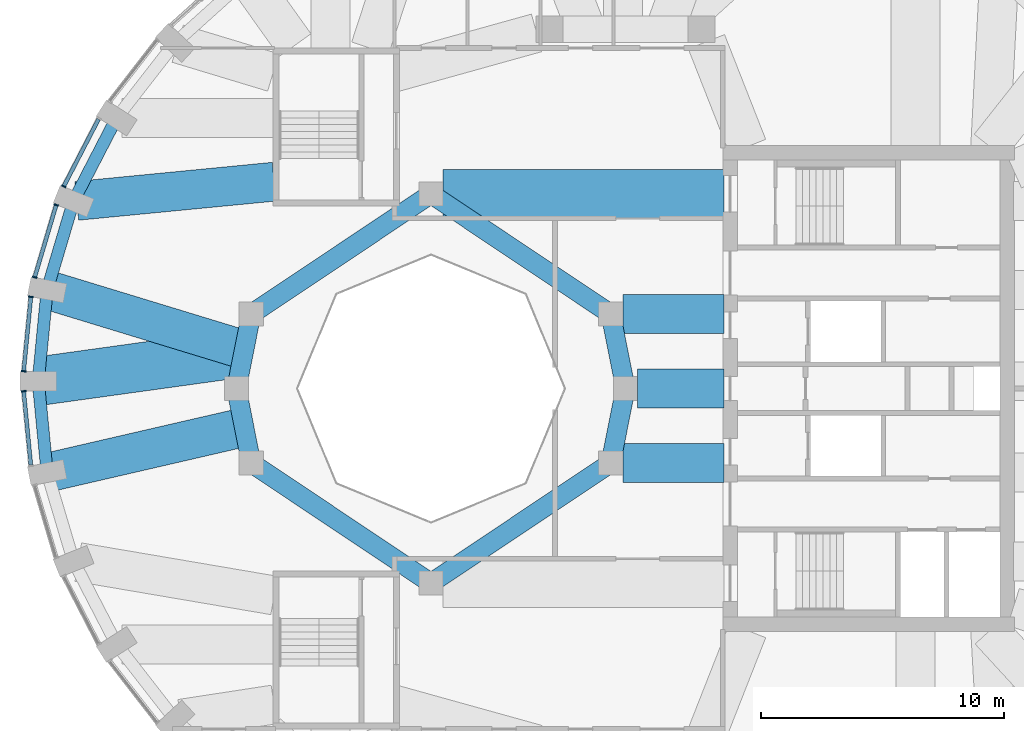
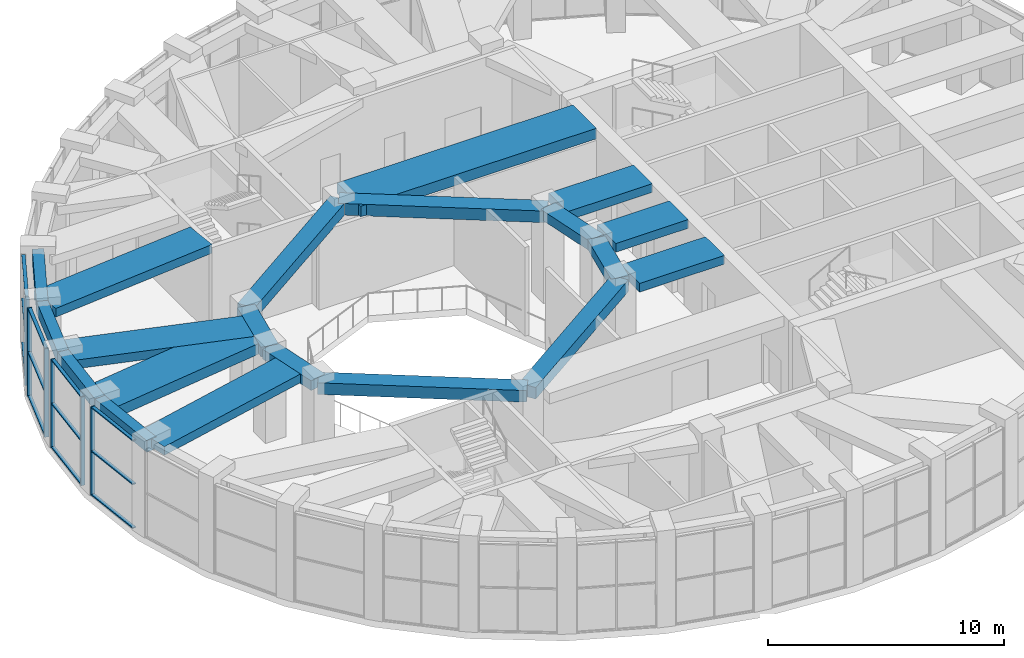
# One storey, part 4 of 16: 20 beams, 18 members, 4 elements without a shape of their own.
"""IFC4 building model written with IfcOpenShell, lengths in metres."""

from ifc_helpers import new_model, si_unit, direction, frame, origin, origin_2d, place, context, subcontext, project, spatial, rectangle, extrude, material, material_profile, profile_set, type_object, element, aggregate, save


model = new_model("IFC4")

# Units and contexts
model_context = context("Model", 3, precision=1e-05, world=origin(), true_north=direction((0.0, 1.0)))
body_context = subcontext(model_context, "Body", "Model", "MODEL_VIEW")
ifc_project = project(units=[si_unit("LENGTHUNIT", "METRE"), si_unit("AREAUNIT", "SQUARE_METRE"), si_unit("VOLUMEUNIT", "CUBIC_METRE"), si_unit("PLANEANGLEUNIT", "RADIAN"), si_unit("MASSUNIT", "GRAM", prefix="KILO")], contexts=[model_context])

# Site, building, storey
site_placement = place(None, origin())
site = spatial("IfcSite", under=ifc_project, at=site_placement, CompositionType="ELEMENT")
building_placement = place(site_placement, origin())
building = spatial("IfcBuilding", under=site, at=building_placement, Name="Taillehof Tower", CompositionType="ELEMENT")
storey_placement = place(building_placement, frame((0.0, 0.0, 264.199951171875)))
storey = spatial("IfcBuildingStorey", under=building, at=storey_placement, Name="L75", CompositionType="ELEMENT", Elevation=264.199951171875)

# Beams
ifc_material_1 = material(Name="Concrete C50/60", Category="concrete")
ifc_material_profile_1 = material_profile(ifc_material_1, rectangle(XDim=0.800048828125, YDim=0.5, at=origin_2d()), Name="RC 800x500")
ifc_profile_set_1 = profile_set([ifc_material_profile_1], Name="Concrete C50/60")
beam_type_1 = type_object("IfcBeamType", Name="Atrium ring beam C50/60 800x500", PredefinedType="BEAM", material=ifc_profile_set_1)
for number, where, z_axis, x_axis, name in (
    (1, (0.0, 0.0, 4.340087890625), (-0.195063155143, 0.980790683839, 0.0), (-0.980790683839, -0.195063155143, 0.0), "Atrium ring beam AB01"),
    (2, (-15.39111328125, 3.0615234375, 4.340087890625), (-0.195063155143, -0.980790683839, 0.0), (0.980790683839, -0.195063155143, 0.0), "Atrium ring beam AB04"),
    (3, (-16.0, 0.0, 4.340087890625), (0.195063155143, -0.980790683839, 0.0), (0.980790683839, 0.195063155143, 0.0), "Atrium ring beam AB05"),
    (4, (-0.60888671875, -3.0615234375, 4.340087890625), (0.195063155143, 0.980790683839, 0.0), (-0.980790683839, 0.195063155143, 0.0), "Atrium ring beam AB08"),
):
    element("IfcBeam", number, at=place(storey_placement, frame(where, z_axis=z_axis, x_axis=x_axis)), inside=storey, type_object=beam_type_1, Name=name, PredefinedType="BEAM", context=body_context, shape_type="SweptSolid", body=[
        extrude(rectangle(XDim=0.800048828125, YDim=0.5, at=origin_2d()), origin(), (0.0, 0.0, 1.0), 3.12158203125),
    ])
ifc_material_2 = material(Name="Concrete C50/60", Category="concrete")
ifc_material_profile_2 = material_profile(ifc_material_2, rectangle(XDim=0.800048828125, YDim=0.60009765625, at=origin_2d()), Name="RC 800x600")
ifc_profile_set_2 = profile_set([ifc_material_profile_2], Name="Concrete C50/60")
beam_type_2 = type_object("IfcBeamType", Name="Atrium ring beam C50/60 800x600", PredefinedType="BEAM", material=ifc_profile_set_2)
for number, where, z_axis, x_axis, name in (
    (5, (-0.60888671875, 3.0615234375, 4.2900390625), (-0.831475195687, 0.555561876804, 0.0), (-0.555561876804, -0.831475195687, 0.0), "Atrium ring beam AB02"),
    (6, (-8.0, 8.0, 4.2900390625), (-0.831475195687, -0.555561876804, 0.0), (0.555561876804, -0.831475195687, 0.0), "Atrium ring beam AB03"),
    (7, (-15.39111328125, -3.0615234375, 4.2900390625), (0.831475195687, -0.555561876804, 0.0), (0.555561876804, 0.831475195687, 0.0), "Atrium ring beam AB06"),
    (8, (-8.0, -8.0, 4.2900390625), (0.831475195687, 0.555561876804, 0.0), (-0.555561876804, 0.831475195687, 0.0), "Atrium ring beam AB07"),
):
    element("IfcBeam", number, at=place(storey_placement, frame(where, z_axis=z_axis, x_axis=x_axis)), inside=storey, type_object=beam_type_2, Name=name, PredefinedType="BEAM", context=body_context, shape_type="SweptSolid", body=[
        extrude(rectangle(XDim=0.800048828125, YDim=0.60009765625, at=origin_2d()), origin(), (0.0, 0.0, 1.0), 8.88916015625),
    ])
ifc_material_3 = material(Name="Concrete C50/60", Category="concrete")
ifc_material_profile_3 = material_profile(ifc_material_3, rectangle(XDim=1.60009765625, YDim=0.449951171875, at=origin_2d()), Name="RC 1600x450")
ifc_profile_set_3 = profile_set([ifc_material_profile_3], Name="Concrete C50/60")
beam_type_3 = type_object("IfcBeamType", Name="Radial band beam C50/60 1600x450", PredefinedType="BEAM", material=ifc_profile_set_3)
beam_1_placement = place(storey_placement, frame((-22.564697265625, 7.7177734375, 4.364990234375), z_axis=(0.995328408647, 0.096547185049, 0.0), x_axis=(-0.096547185049, 0.995328408647, 0.0)))
element("IfcBeam", 9, at=beam_1_placement, inside=storey, type_object=beam_type_3, Name="Radial band beam RB17", PredefinedType="BEAM", context=body_context, shape_type="SweptSolid", body=[
    extrude(rectangle(XDim=1.60009765625, YDim=0.449951171875, at=origin_2d()), origin(), (0.0, 0.0, 1.0), 8.152587890625),
])
beam_2_placement = place(storey_placement, frame((-23.78466796875, 4.0595703125, 4.364990234375), z_axis=(0.956552302924, -0.291560785721, 0.0), x_axis=(0.291560785721, 0.956552302924, 0.0)))
element("IfcBeam", 10, at=beam_2_placement, inside=storey, type_object=beam_type_3, Name="Radial band beam RB18", PredefinedType="BEAM", context=body_context, shape_type="SweptSolid", body=[
    extrude(rectangle(XDim=1.60009765625, YDim=0.449951171875, at=origin_2d()), origin(), (0.0, 0.0, 1.0), 8.468994140625),
])
beam_3_placement = place(storey_placement, frame((-23.78466796875, -3.45947265625, 4.364990234375), z_axis=(0.974400103511, 0.224820902672, 0.0), x_axis=(-0.224820902672, 0.974400103511, 0.0)))
element("IfcBeam", 11, at=beam_3_placement, inside=storey, type_object=beam_type_3, Name="Radial band beam RB20", PredefinedType="BEAM", context=body_context, shape_type="SweptSolid", body=[
    extrude(rectangle(XDim=1.60009765625, YDim=0.449951171875, at=origin_2d()), origin(), (0.0, 0.0, 1.0), 8.31396484375),
])
beam_4_placement = place(storey_placement, frame((0.5, 0.0, 4.364990234375), z_axis=(1.0, 0.0, 0.0), x_axis=(0.0, 1.0, 0.0)))
element("IfcBeam", 12, at=beam_4_placement, inside=storey, type_object=beam_type_3, Name="Inner band beam IB101", PredefinedType="BEAM", context=body_context, shape_type="SweptSolid", body=[
    extrude(rectangle(XDim=1.60009765625, YDim=0.449951171875, at=origin_2d()), origin(), (0.0, 0.0, 1.0), 3.550048828125),
])
for number, where, z_axis, x_axis, name in (
    (13, (-0.10888671875, 3.0615234375, 4.364990234375), (1.0, 0.0, 0.0), (0.0, 1.0, 0.0), "Inner band beam IB102"),
    (14, (-0.10888671875, -3.0615234375, 4.364990234375), (1.0, 0.0, 0.0), (0.0, 1.0, 0.0), "Inner band beam IB116"),
):
    element("IfcBeam", number, at=place(storey_placement, frame(where, z_axis=z_axis, x_axis=x_axis)), inside=storey, type_object=beam_type_3, Name=name, PredefinedType="BEAM", context=body_context, shape_type="SweptSolid", body=[
        extrude(rectangle(XDim=1.60009765625, YDim=0.449951171875, at=origin_2d()), origin(), (0.0, 0.0, 1.0), 4.158935546875),
    ])
ifc_material_4 = material(Name="Concrete C50/60", Category="concrete")
ifc_material_profile_4 = material_profile(ifc_material_4, rectangle(XDim=2.0, YDim=0.550048828125, at=origin_2d()), Name="RC 2000x550")
ifc_profile_set_4 = profile_set([ifc_material_profile_4], Name="Concrete C50/60")
beam_type_4 = type_object("IfcBeamType", Name="Radial band beam C50/60 2000x550", PredefinedType="BEAM", material=ifc_profile_set_4)
beam_5_placement = place(storey_placement, frame((-24.14990234375, 0.300048828125, 4.31494140625), z_axis=(0.990515351696, 0.137402103528, 0.0), x_axis=(-0.137402103528, 0.990515351696, 0.0)))
element("IfcBeam", 15, at=beam_5_placement, inside=storey, type_object=beam_type_4, Name="Radial band beam RB19", PredefinedType="BEAM", context=body_context, shape_type="SweptSolid", body=[
    extrude(rectangle(XDim=2.0, YDim=0.550048828125, at=origin_2d()), origin(), (0.0, 0.0, 1.0), 8.5234375),
])
beam_6_placement = place(storey_placement, frame((-7.5, 8.0, 4.31494140625), z_axis=(1.0, 0.0, 0.0), x_axis=(0.0, 1.0, 0.0)))
element("IfcBeam", 16, at=beam_6_placement, inside=storey, type_object=beam_type_4, Name="Inner band beam IB105", PredefinedType="BEAM", context=body_context, shape_type="SweptSolid", body=[
    extrude(rectangle(XDim=2.0, YDim=0.550048828125, at=origin_2d()), origin(), (0.0, 0.0, 1.0), 11.550048828125),
])

# Curtain wall, member
ifc_material_5 = material(Name="Aluminium curtain wall with Clear laminated safety glass", Category="aluminium")
curtain_wall_type = type_object("IfcCurtainWallType", Name="Sky restaurant curtain wall", PredefinedType="USERDEFINED", material=ifc_material_5)
curtain_wall_1_placement = place(storey_placement, origin())
curtain_wall_1 = element("IfcCurtainWall", 17, at=curtain_wall_1_placement, inside=storey, type_object=curtain_wall_type, Name="Sky restaurant L75 bay 16", ObjectType="WINDOW WALL", PredefinedType="USERDEFINED")
ifc_material_6 = material(Name="Aluminium mullion", Category="aluminium")
ifc_material_profile_5 = material_profile(ifc_material_6, rectangle(XDim=0.199951171875, YDim=0.06005859375, at=origin_2d()), Name="AL 60x200")
ifc_profile_set_5 = profile_set([ifc_material_profile_5], Name="Aluminium mullion")
member_type_1 = type_object("IfcMemberType", Name="Sky restaurant mullion 60x200", PredefinedType="MULLION", material=ifc_profile_set_5)
member_1_placement = place(storey_placement, frame((-23.103271484375, 8.309326171875, 0.0), z_axis=(0.0, 0.0, 1.0), x_axis=(0.887975262702, -0.459891218474, 0.0)))
member_1 = element("IfcMember", 18, at=member_1_placement, type_object=member_type_1, Name="CT5E16 mullion 2", PredefinedType="MULLION", context=body_context, shape_type="SweptSolid", body=[
    extrude(rectangle(XDim=0.199951171875, YDim=0.06005859375, at=origin_2d()), origin(), (0.0, 0.0, 1.0), 4.590087890625),
])

# Curtain wall, members
curtain_wall_2_placement = place(storey_placement, origin())
curtain_wall_2 = element("IfcCurtainWall", 19, at=curtain_wall_2_placement, inside=storey, type_object=curtain_wall_type, Name="Sky restaurant L75 bay 17", ObjectType="WINDOW WALL", PredefinedType="USERDEFINED")
member_2_placement = place(storey_placement, frame((-23.41015625, 7.549072265625, 0.0), z_axis=(0.0, 0.0, 1.0), x_axis=(0.958457446134, -0.285235558707, 0.0)))
member_2 = element("IfcMember", 20, at=member_2_placement, type_object=member_type_1, Name="CT5E17 mullion 1", PredefinedType="MULLION", context=body_context, shape_type="SweptSolid", body=[
    extrude(rectangle(XDim=0.199951171875, YDim=0.06005859375, at=origin_2d()), origin(), (0.0, 0.0, 1.0), 4.590087890625),
])
member_3_placement = place(storey_placement, frame((-24.294677734375, 4.57666015625, 0.0), z_axis=(0.0, 0.0, 1.0), x_axis=(0.958457446134, -0.285235558707, 0.0)))
member_3 = element("IfcMember", 21, at=member_3_placement, type_object=member_type_1, Name="CT5E17 mullion 2", PredefinedType="MULLION", context=body_context, shape_type="SweptSolid", body=[
    extrude(rectangle(XDim=0.199951171875, YDim=0.06005859375, at=origin_2d()), origin(), (0.0, 0.0, 1.0), 4.590087890625),
])

curtain_wall_3_placement = place(storey_placement, origin())
curtain_wall_3 = element("IfcCurtainWall", 22, at=curtain_wall_3_placement, inside=storey, type_object=curtain_wall_type, Name="Sky restaurant L75 bay 18", ObjectType="WINDOW WALL", PredefinedType="USERDEFINED")
member_4_placement = place(storey_placement, frame((-24.4521484375, 3.77197265625, 0.0), z_axis=(0.0, 0.0, 1.0), x_axis=(0.995312250248, -0.0967136211, 0.0)))
member_4 = element("IfcMember", 23, at=member_4_placement, type_object=member_type_1, Name="CT5E18 mullion 1", PredefinedType="MULLION", context=body_context, shape_type="SweptSolid", body=[
    extrude(rectangle(XDim=0.199951171875, YDim=0.06005859375, at=origin_2d()), origin(), (0.0, 0.0, 1.0), 4.590087890625),
])
member_5_placement = place(storey_placement, frame((-24.749755859375, 0.7099609375, 0.0), z_axis=(0.0, 0.0, 1.0), x_axis=(0.995312250248, -0.0967136211, 0.0)))
member_5 = element("IfcMember", 24, at=member_5_placement, type_object=member_type_1, Name="CT5E18 mullion 2", PredefinedType="MULLION", context=body_context, shape_type="SweptSolid", body=[
    extrude(rectangle(XDim=0.199951171875, YDim=0.06005859375, at=origin_2d()), origin(), (0.0, 0.0, 1.0), 4.590087890625),
])

# Curtain wall, member
curtain_wall_4_placement = place(storey_placement, origin())
curtain_wall_4 = element("IfcCurtainWall", 25, at=curtain_wall_4_placement, inside=storey, type_object=curtain_wall_type, Name="Sky restaurant L75 bay 19", ObjectType="WINDOW WALL", PredefinedType="USERDEFINED")
member_6_placement = place(storey_placement, frame((-24.749755859375, -0.10986328125, 0.0), z_axis=(0.0, 0.0, 1.0), x_axis=(0.995312250248, 0.0967136211, 0.0)))
member_6 = element("IfcMember", 26, at=member_6_placement, type_object=member_type_1, Name="CT5E19 mullion 1", PredefinedType="MULLION", context=body_context, shape_type="SweptSolid", body=[
    extrude(rectangle(XDim=0.199951171875, YDim=0.06005859375, at=origin_2d()), origin(), (0.0, 0.0, 1.0), 4.590087890625),
])

# Member
ifc_material_7 = material(Name="Aluminium transom", Category="aluminium")
ifc_material_profile_6 = material_profile(ifc_material_7, rectangle(XDim=0.159912109375, YDim=0.06005859375, at=origin_2d()), Name="AL 160x60")
ifc_profile_set_6 = profile_set([ifc_material_profile_6], Name="Aluminium transom")
member_type_2 = type_object("IfcMemberType", Name="Sky restaurant transom 160x60", PredefinedType="USERDEFINED", material=ifc_profile_set_6)
member_7_placement = place(storey_placement, frame((-21.669921875, 11.0771484375, 0.030029296875), z_axis=(-0.459917726604, -0.887961533376, 0.0), x_axis=(0.887961533376, -0.459917726604, 0.0)))
member_7 = element("IfcMember", 27, at=member_7_placement, type_object=member_type_2, Name="CT5E16 transom 1.1", ObjectType="TRANSOM", PredefinedType="USERDEFINED", context=body_context, shape_type="SweptSolid", body=[
    extrude(rectangle(XDim=0.159912109375, YDim=0.06005859375, at=origin_2d()), origin(), (0.0, 0.0, 1.0), 3.0869140625),
])

member_8_placement = place(storey_placement, frame((-21.669921875, 11.0771484375, 2.295166015625), z_axis=(-0.459917726604, -0.887961533376, 0.0), x_axis=(0.887961533376, -0.459917726604, 0.0)))
member_8 = element("IfcMember", 28, at=member_8_placement, type_object=member_type_2, Name="CT5E16 transom 1.2", ObjectType="TRANSOM", PredefinedType="USERDEFINED", context=body_context, shape_type="SweptSolid", body=[
    extrude(rectangle(XDim=0.159912109375, YDim=0.06005859375, at=origin_2d()), origin(), (0.0, 0.0, 1.0), 3.0869140625),
])

member_9_placement = place(storey_placement, frame((-21.669921875, 11.0771484375, 4.56005859375), z_axis=(-0.459917726604, -0.887961533376, 0.0), x_axis=(0.887961533376, -0.459917726604, 0.0)))
member_9 = element("IfcMember", 29, at=member_9_placement, type_object=member_type_2, Name="CT5E16 transom 1.3", ObjectType="TRANSOM", PredefinedType="USERDEFINED", context=body_context, shape_type="SweptSolid", body=[
    extrude(rectangle(XDim=0.159912109375, YDim=0.06005859375, at=origin_2d()), origin(), (0.0, 0.0, 1.0), 3.0869140625),
])

aggregate(curtain_wall_1, [member_1, member_7, member_8, member_9])

member_10_placement = place(storey_placement, frame((-23.418701171875, 7.520263671875, 0.030029296875), z_axis=(-0.285233402004, -0.958458087963, 0.0), x_axis=(0.958458087963, -0.285233402004, 0.0)))
member_10 = element("IfcMember", 30, at=member_10_placement, type_object=member_type_2, Name="CT5E17 transom 1.1", ObjectType="TRANSOM", PredefinedType="USERDEFINED", context=body_context, shape_type="SweptSolid", body=[
    extrude(rectangle(XDim=0.159912109375, YDim=0.06005859375, at=origin_2d()), origin(), (0.0, 0.0, 1.0), 3.041015625),
])

member_11_placement = place(storey_placement, frame((-23.418701171875, 7.520263671875, 2.295166015625), z_axis=(-0.285233402004, -0.958458087963, 0.0), x_axis=(0.958458087963, -0.285233402004, 0.0)))
member_11 = element("IfcMember", 31, at=member_11_placement, type_object=member_type_2, Name="CT5E17 transom 1.2", ObjectType="TRANSOM", PredefinedType="USERDEFINED", context=body_context, shape_type="SweptSolid", body=[
    extrude(rectangle(XDim=0.159912109375, YDim=0.06005859375, at=origin_2d()), origin(), (0.0, 0.0, 1.0), 3.041015625),
])

member_12_placement = place(storey_placement, frame((-23.418701171875, 7.520263671875, 4.56005859375), z_axis=(-0.285233402004, -0.958458087963, 0.0), x_axis=(0.958458087963, -0.285233402004, 0.0)))
member_12 = element("IfcMember", 32, at=member_12_placement, type_object=member_type_2, Name="CT5E17 transom 1.3", ObjectType="TRANSOM", PredefinedType="USERDEFINED", context=body_context, shape_type="SweptSolid", body=[
    extrude(rectangle(XDim=0.159912109375, YDim=0.06005859375, at=origin_2d()), origin(), (0.0, 0.0, 1.0), 3.041015625),
])

aggregate(curtain_wall_2, [member_2, member_3, member_10, member_11, member_12])

member_13_placement = place(storey_placement, frame((-24.455078125, 3.7421875, 0.030029296875), z_axis=(-0.096714751004, -0.995312140456, 0.0), x_axis=(0.995312140456, -0.096714751004, 0.0)))
member_13 = element("IfcMember", 33, at=member_13_placement, type_object=member_type_2, Name="CT5E18 transom 1.1", ObjectType="TRANSOM", PredefinedType="USERDEFINED", context=body_context, shape_type="SweptSolid", body=[
    extrude(rectangle(XDim=0.159912109375, YDim=0.06005859375, at=origin_2d()), origin(), (0.0, 0.0, 1.0), 3.0166015625),
])

member_14_placement = place(storey_placement, frame((-24.455078125, 3.7421875, 2.295166015625), z_axis=(-0.096714751004, -0.995312140456, 0.0), x_axis=(0.995312140456, -0.096714751004, 0.0)))
member_14 = element("IfcMember", 34, at=member_14_placement, type_object=member_type_2, Name="CT5E18 transom 1.2", ObjectType="TRANSOM", PredefinedType="USERDEFINED", context=body_context, shape_type="SweptSolid", body=[
    extrude(rectangle(XDim=0.159912109375, YDim=0.06005859375, at=origin_2d()), origin(), (0.0, 0.0, 1.0), 3.0166015625),
])

member_15_placement = place(storey_placement, frame((-24.455078125, 3.7421875, 4.56005859375), z_axis=(-0.096714751004, -0.995312140456, 0.0), x_axis=(0.995312140456, -0.096714751004, 0.0)))
member_15 = element("IfcMember", 35, at=member_15_placement, type_object=member_type_2, Name="CT5E18 transom 1.3", ObjectType="TRANSOM", PredefinedType="USERDEFINED", context=body_context, shape_type="SweptSolid", body=[
    extrude(rectangle(XDim=0.159912109375, YDim=0.06005859375, at=origin_2d()), origin(), (0.0, 0.0, 1.0), 3.0166015625),
])

aggregate(curtain_wall_3, [member_4, member_5, member_13, member_14, member_15])

member_16_placement = place(storey_placement, frame((-24.746826171875, -0.139892578125, 0.030029296875), z_axis=(0.096714751004, -0.995312140456, 0.0), x_axis=(0.995312140456, 0.096714751004, 0.0)))
member_16 = element("IfcMember", 36, at=member_16_placement, type_object=member_type_2, Name="CT5E19 transom 1.1", ObjectType="TRANSOM", PredefinedType="USERDEFINED", context=body_context, shape_type="SweptSolid", body=[
    extrude(rectangle(XDim=0.159912109375, YDim=0.06005859375, at=origin_2d()), origin(), (0.0, 0.0, 1.0), 3.0166015625),
])

member_17_placement = place(storey_placement, frame((-24.746826171875, -0.139892578125, 2.295166015625), z_axis=(0.096714751004, -0.995312140456, 0.0), x_axis=(0.995312140456, 0.096714751004, 0.0)))
member_17 = element("IfcMember", 37, at=member_17_placement, type_object=member_type_2, Name="CT5E19 transom 1.2", ObjectType="TRANSOM", PredefinedType="USERDEFINED", context=body_context, shape_type="SweptSolid", body=[
    extrude(rectangle(XDim=0.159912109375, YDim=0.06005859375, at=origin_2d()), origin(), (0.0, 0.0, 1.0), 3.0166015625),
])

member_18_placement = place(storey_placement, frame((-24.746826171875, -0.139892578125, 4.56005859375), z_axis=(0.096714751004, -0.995312140456, 0.0), x_axis=(0.995312140456, 0.096714751004, 0.0)))
member_18 = element("IfcMember", 38, at=member_18_placement, type_object=member_type_2, Name="CT5E19 transom 1.3", ObjectType="TRANSOM", PredefinedType="USERDEFINED", context=body_context, shape_type="SweptSolid", body=[
    extrude(rectangle(XDim=0.159912109375, YDim=0.06005859375, at=origin_2d()), origin(), (0.0, 0.0, 1.0), 3.0166015625),
])

aggregate(curtain_wall_4, [member_6, member_16, member_17, member_18])

# Beams
ifc_material_8 = material(Name="Concrete C50/60", Category="concrete")
ifc_material_profile_7 = material_profile(ifc_material_8, rectangle(XDim=0.5, YDim=0.60009765625, at=origin_2d()), Name="RC 500x600")
ifc_profile_set_7 = profile_set([ifc_material_profile_7], Name="Concrete C50/60")
beam_type_5 = type_object("IfcBeamType", Name="Spandrel beam C50/60 500x600", PredefinedType="SPANDREL", material=ifc_profile_set_7)
beam_7_placement = place(storey_placement, frame((-20.927978515625, 11.125, 4.2900390625), z_axis=(-0.459971160554, -0.88793385534, 0.0), x_axis=(0.88793385534, -0.459971160554, 0.0)))
element("IfcBeam", 39, at=beam_7_placement, inside=storey, type_object=beam_type_5, Name="Spandrel beam SB16", PredefinedType="SPANDREL", context=body_context, shape_type="SweptSolid", body=[
    extrude(rectangle(XDim=0.5, YDim=0.60009765625, at=origin_2d()), origin(), (0.0, 0.0, 1.0), 3.851806640625),
])
beam_8_placement = place(storey_placement, frame((-22.69970703125, 7.704833984375, 4.2900390625), z_axis=(-0.285268336874, -0.958447690788, 0.0), x_axis=(0.958447690788, -0.285268336874, 0.0)))
element("IfcBeam", 40, at=beam_8_placement, inside=storey, type_object=beam_type_5, Name="Spandrel beam SB17", PredefinedType="SPANDREL", context=body_context, shape_type="SweptSolid", body=[
    extrude(rectangle(XDim=0.5, YDim=0.60009765625, at=origin_2d()), origin(), (0.0, 0.0, 1.0), 3.80322265625),
])
for number, where, z_axis, x_axis, name in (
    (41, (-23.78466796875, 4.0595703125, 4.2900390625), (-0.096693940319, -0.995314162416, 0.0), (0.995314162416, -0.096693940319, 0.0), "Spandrel beam SB18"),
    (42, (-24.14990234375, 0.300048828125, 4.2900390625), (0.096693940319, -0.995314162416, 0.0), (0.995314162416, 0.096693940319, 0.0), "Spandrel beam SB19"),
):
    element("IfcBeam", number, at=place(storey_placement, frame(where, z_axis=z_axis, x_axis=x_axis)), inside=storey, type_object=beam_type_5, Name=name, PredefinedType="SPANDREL", context=body_context, shape_type="SweptSolid", body=[
        extrude(rectangle(XDim=0.5, YDim=0.60009765625, at=origin_2d()), origin(), (0.0, 0.0, 1.0), 3.777099609375),
    ])

save(model, "model.ifc")
